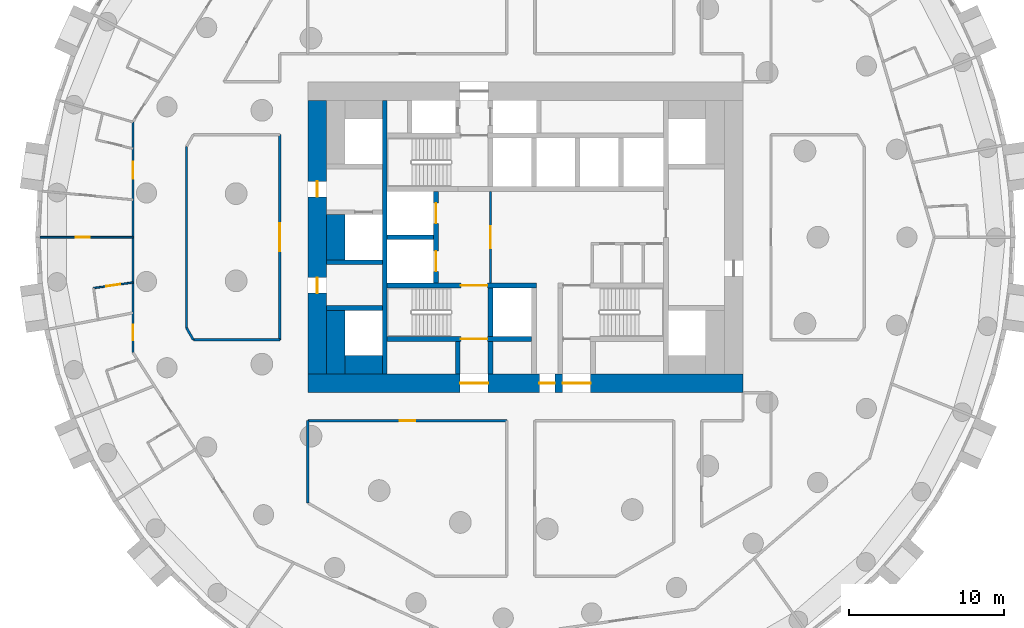
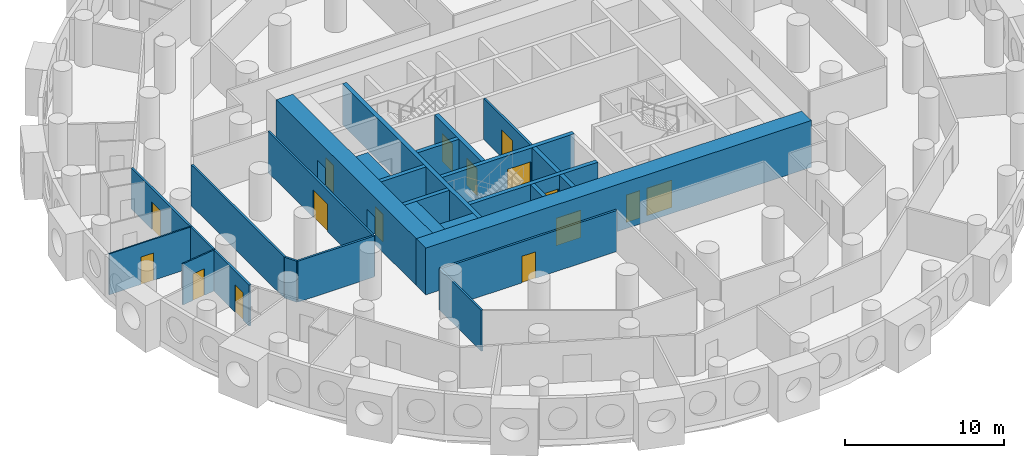
# One storey, part 4 of 12: 25 walls, 16 doors, 16 openings.
"""IFC4 building model written with IfcOpenShell, lengths in metres."""

from ifc_helpers import new_model, si_unit, direction, frame, frame_2d, origin, place, context, subcontext, project, spatial, rectangle, extrude, material, layer, layer_set, type_object, element, fill, save


model = new_model("IFC4")

# Units and contexts
model_context = context("Model", 3, precision=1e-05, world=origin(), true_north=direction((0.0, 1.0)))
body_context = subcontext(model_context, "Body", "Model", "MODEL_VIEW")
ifc_project = project(units=[si_unit("LENGTHUNIT", "METRE"), si_unit("AREAUNIT", "SQUARE_METRE"), si_unit("VOLUMEUNIT", "CUBIC_METRE"), si_unit("PLANEANGLEUNIT", "RADIAN"), si_unit("MASSUNIT", "GRAM", prefix="KILO")], contexts=[model_context])

# Site, building, storey
site_placement = place(None, origin())
site = spatial("IfcSite", under=ifc_project, at=site_placement, CompositionType="ELEMENT")
building_placement = place(site_placement, origin())
building = spatial("IfcBuilding", under=site, at=building_placement, Name="Tracery Tower", CompositionType="ELEMENT")
storey_placement = place(building_placement, frame((0.0, 0.0, 111.0)))
storey = spatial("IfcBuildingStorey", under=building, at=storey_placement, Name="L28", CompositionType="ELEMENT", Elevation=111.0)

# Wall, opening, door
ifc_material_1 = material(Name="Plasterboard on steel studs", Category="steel")
ifc_layer_1 = layer(ifc_material_1, 0.14990234375)
ifc_layer_set_1 = layer_set([ifc_layer_1], Name="Core lobby partition 150")
wall_type_1 = type_object("IfcWallType", Name="Core lobby partition 150", PredefinedType="SOLIDWALL", material=ifc_layer_set_1)
wall_1_placement = place(storey_placement, frame((-2.25, -2.949951171875, 0.0), z_axis=(0.0, 0.0, 1.0), x_axis=(0.0, 1.0, 0.0)))
wall_1 = element("IfcWall", 1, at=wall_1_placement, inside=storey, type_object=wall_type_1, Name="L28 FF lobby E", PredefinedType="SOLIDWALL", context=body_context, shape_type="SweptSolid", body=[
    extrude(rectangle(XDim=5.89990234375, YDim=0.14990234375, at=frame_2d((2.949951171875, 0.0))), origin(), (0.0, 0.0, 1.0), 3.14990234375),
])
opening_1_placement = place(wall_1_placement, frame((2.25, 0.0, 0.0)))
opening_1 = element("IfcOpeningElement", 2, at=opening_1_placement, cuts=wall_1, Name="Opening KD8", PredefinedType="OPENING", context=body_context, shape_type="SweptSolid", body=[
    extrude(rectangle(XDim=1.39990234375, YDim=2.10009765625, at=frame_2d((0.699951171875, 1.050048828125))), frame((0.0, 0.074951171875, 0.0), z_axis=(0.0, -1.0, 0.0), x_axis=(1.0, 0.0, 0.0)), (0.0, 0.0, 1.0), 0.14990234375),
])
ifc_material_2 = material(Name="Steel fire door", Category="steel")
door_type_1 = type_object("IfcDoorType", Name="Core lobby door 1400 double", OperationType="NOTDEFINED", PredefinedType="DOOR", material=ifc_material_2)
door_1_placement = place(opening_1_placement, origin())
door_1 = element("IfcDoor", 3, at=door_1_placement, inside=storey, type_object=door_type_1, Name="Fire-fighting lobby door", OperationType="DOUBLE_DOOR_SINGLE_SWING", OverallHeight=2.10009765625, OverallWidth=1.39990234375, PredefinedType="DOOR", context=body_context, shape_type="SweptSolid", body=[
    extrude(rectangle(XDim=1.39990234375, YDim=2.10009765625, at=frame_2d((0.699951171875, 1.050048828125))), frame((0.0, 0.02490234375, 0.0), z_axis=(0.0, -1.0, 0.0), x_axis=(1.0, 0.0, 0.0)), (0.0, 0.0, 1.0), 0.050048828125),
])
fill(opening_1, door_1)

# Walls
ifc_material_3 = material(Name="Concrete C60/75", Category="concrete")
ifc_layer_2 = layer(ifc_material_3, 1.199951171875)
ifc_layer_set_2 = layer_set([ifc_layer_2], Name="Core strip wall 1200 C60")
wall_type_2 = type_object("IfcWallType", Name="Core strip wall 1200 C60", PredefinedType="SOLIDWALL", material=ifc_layer_set_2)
wall_2_placement = place(storey_placement, frame((-12.199951171875, -8.800048828125, 0.0), z_axis=(0.0, 0.0, 1.0), x_axis=(0.0, 1.0, 0.0)))
element("IfcWall", 4, at=wall_2_placement, inside=storey, type_object=wall_type_2, Name="L28 wing strip -1 -9.4", PredefinedType="SOLIDWALL", context=body_context, shape_type="SweptSolid", body=[
    extrude(rectangle(XDim=4.10009765625, YDim=1.199951171875, at=frame_2d((2.050048828125, 0.0))), origin(), (0.0, 0.0, 1.0), 3.14990234375),
])
wall_3_placement = place(storey_placement, frame((-12.199951171875, -1.449951171875, 0.0), z_axis=(0.0, 0.0, 1.0), x_axis=(0.0, 1.0, 0.0)))
element("IfcWall", 5, at=wall_3_placement, inside=storey, type_object=wall_type_2, Name="L28 wing strip -1 -1.6", PredefinedType="SOLIDWALL", context=body_context, shape_type="SweptSolid", body=[
    extrude(rectangle(XDim=2.89990234375, YDim=1.199951171875, at=frame_2d((1.449951171875, 0.0))), origin(), (0.0, 0.0, 1.0), 3.14990234375),
])
wall_4_placement = place(storey_placement, frame((-11.60009765625, -8.199951171875, 0.0), z_axis=(0.0, 0.0, 1.0), x_axis=(1.0, 0.0, 0.0)))
element("IfcWall", 6, at=wall_4_placement, inside=storey, type_object=wall_type_2, Name="L28 wing corner -1 -8.2", PredefinedType="SOLIDWALL", context=body_context, shape_type="SweptSolid", body=[
    extrude(rectangle(XDim=2.400146484375, YDim=1.199951171875, at=frame_2d((1.2001953125, 0.0))), origin(), (0.0, 0.0, 1.0), 3.14990234375),
])

# Wall, openings, doors
ifc_material_4 = material(Name="Concrete C60/75", Category="concrete")
ifc_layer_3 = layer(ifc_material_4, 1.199951171875)
ifc_layer_set_3 = layer_set([ifc_layer_3], Name="Core wall 1200 C60")
wall_type_3 = type_object("IfcWallType", Name="Core wall 1200 C60", PredefinedType="SOLIDWALL", material=ifc_layer_set_3)
wall_5_placement = place(storey_placement, frame((-14.0, -9.39990234375, 0.0), z_axis=(0.0, 0.0, 1.0), x_axis=(1.0, 0.0, 0.0)))
wall_5 = element("IfcWall", 7, at=wall_5_placement, inside=storey, type_object=wall_type_3, Name="L28 outer S", PredefinedType="SOLIDWALL", context=body_context, shape_type="SweptSolid", body=[
    extrude(rectangle(XDim=28.0, YDim=1.199951171875, at=frame_2d((14.0, 0.0))), origin(), (0.0, 0.0, 1.0), 3.60009765625),
])
opening_2_placement = place(wall_5_placement, frame((14.89990234375, 0.0, 0.0)))
opening_2 = element("IfcOpeningElement", 8, at=opening_2_placement, cuts=wall_5, Name="Opening KD16", PredefinedType="OPENING", context=body_context, shape_type="SweptSolid", body=[
    extrude(rectangle(XDim=1.0, YDim=2.10009765625, at=frame_2d((0.5, 1.050048828125))), frame((0.0, 0.60009765625, 0.0), z_axis=(0.0, -1.0, 0.0), x_axis=(1.0, 0.0, 0.0)), (0.0, 0.0, 1.0), 1.199951171875),
])
opening_3_placement = place(wall_5_placement, frame((9.800048828125, 0.0, 0.0)))
opening_3 = element("IfcOpeningElement", 9, at=opening_3_placement, cuts=wall_5, Name="Opening KD13", PredefinedType="OPENING", context=body_context, shape_type="SweptSolid", body=[
    extrude(rectangle(XDim=1.800048828125, YDim=2.10009765625, at=frame_2d((0.89990234375, 1.050048828125))), frame((0.0, 0.60009765625, 0.0), z_axis=(0.0, -1.0, 0.0), x_axis=(1.0, 0.0, 0.0)), (0.0, 0.0, 1.0), 1.199951171875),
])
opening_4_placement = place(wall_5_placement, frame((16.39990234375, 0.0, 0.0)))
opening_4 = element("IfcOpeningElement", 10, at=opening_4_placement, cuts=wall_5, Name="Opening KD13", PredefinedType="OPENING", context=body_context, shape_type="SweptSolid", body=[
    extrude(rectangle(XDim=1.800048828125, YDim=2.10009765625, at=frame_2d((0.89990234375, 1.050048828125))), frame((0.0, 0.60009765625, 0.0), z_axis=(0.0, -1.0, 0.0), x_axis=(1.0, 0.0, 0.0)), (0.0, 0.0, 1.0), 1.199951171875),
])
ifc_material_5 = material(Name="Steel fire door", Category="steel")
door_type_2 = type_object("IfcDoorType", Name="Core exit door 1000", OperationType="NOTDEFINED", PredefinedType="DOOR", material=ifc_material_5)
door_2_placement = place(opening_2_placement, origin())
door_2 = element("IfcDoor", 11, at=door_2_placement, inside=storey, type_object=door_type_2, Name="Core exit door", OperationType="SINGLE_SWING_LEFT", OverallHeight=2.10009765625, OverallWidth=1.0, PredefinedType="DOOR", context=body_context, shape_type="SweptSolid", body=[
    extrude(rectangle(XDim=1.0, YDim=2.10009765625, at=frame_2d((0.5, 1.050048828125))), frame((0.0, 0.02490234375, 0.0), z_axis=(0.0, -1.0, 0.0), x_axis=(1.0, 0.0, 0.0)), (0.0, 0.0, 1.0), 0.050048828125),
])
fill(opening_2, door_2)
ifc_material_6 = material(Name="Steel fire door", Category="steel")
door_type_3 = type_object("IfcDoorType", Name="Core exit door 1800 double", OperationType="NOTDEFINED", PredefinedType="DOOR", material=ifc_material_6)
door_3_placement = place(opening_3_placement, origin())
door_3 = element("IfcDoor", 12, at=door_3_placement, inside=storey, type_object=door_type_3, Name="Core exit door", OperationType="DOUBLE_DOOR_SINGLE_SWING", OverallHeight=2.10009765625, OverallWidth=1.800048828125, PredefinedType="DOOR", context=body_context, shape_type="SweptSolid", body=[
    extrude(rectangle(XDim=1.800048828125, YDim=2.10009765625, at=frame_2d((0.89990234375, 1.050048828125))), frame((0.0, 0.02490234375, 0.0), z_axis=(0.0, -1.0, 0.0), x_axis=(1.0, 0.0, 0.0)), (0.0, 0.0, 1.0), 0.050048828125),
])
fill(opening_3, door_3)
door_4_placement = place(opening_4_placement, origin())
door_4 = element("IfcDoor", 13, at=door_4_placement, inside=storey, type_object=door_type_3, Name="Core exit door", OperationType="DOUBLE_DOOR_SINGLE_SWING", OverallHeight=2.10009765625, OverallWidth=1.800048828125, PredefinedType="DOOR", context=body_context, shape_type="SweptSolid", body=[
    extrude(rectangle(XDim=1.800048828125, YDim=2.10009765625, at=frame_2d((0.89990234375, 1.050048828125))), frame((0.0, 0.02490234375, 0.0), z_axis=(0.0, -1.0, 0.0), x_axis=(1.0, 0.0, 0.0)), (0.0, 0.0, 1.0), 0.050048828125),
])
fill(opening_4, door_4)

wall_6_placement = place(storey_placement, frame((-13.39990234375, -8.800048828125, 0.0), z_axis=(0.0, 0.0, 1.0), x_axis=(0.0, 1.0, 0.0)))
wall_6 = element("IfcWall", 14, at=wall_6_placement, inside=storey, type_object=wall_type_3, Name="L28 outer W", PredefinedType="SOLIDWALL", context=body_context, shape_type="SweptSolid", body=[
    extrude(rectangle(XDim=17.60009765625, YDim=1.199951171875, at=frame_2d((8.800048828125, 0.0))), origin(), (0.0, 0.0, 1.0), 3.60009765625),
])
opening_5_placement = place(wall_6_placement, frame((5.199951171875, 0.0, 0.0)))
opening_5 = element("IfcOpeningElement", 15, at=opening_5_placement, cuts=wall_6, Name="Opening KD18", PredefinedType="OPENING", context=body_context, shape_type="SweptSolid", body=[
    extrude(rectangle(XDim=1.0, YDim=2.10009765625, at=frame_2d((0.5, 1.050048828125))), frame((0.0, 0.60009765625, 0.0), z_axis=(0.0, -1.0, 0.0), x_axis=(1.0, 0.0, 0.0)), (0.0, 0.0, 1.0), 1.199951171875),
])
opening_6_placement = place(wall_6_placement, frame((11.39990234375, 0.0, 0.0)))
opening_6 = element("IfcOpeningElement", 16, at=opening_6_placement, cuts=wall_6, Name="Opening KD18", PredefinedType="OPENING", context=body_context, shape_type="SweptSolid", body=[
    extrude(rectangle(XDim=1.0, YDim=2.10009765625, at=frame_2d((0.5, 1.050048828125))), frame((0.0, 0.60009765625, 0.0), z_axis=(0.0, -1.0, 0.0), x_axis=(1.0, 0.0, 0.0)), (0.0, 0.0, 1.0), 1.199951171875),
])
door_5_placement = place(opening_5_placement, origin())
door_5 = element("IfcDoor", 17, at=door_5_placement, inside=storey, type_object=door_type_2, Name="Core exit door", OperationType="DOUBLE_DOOR_SINGLE_SWING", OverallHeight=2.10009765625, OverallWidth=1.0, PredefinedType="DOOR", context=body_context, shape_type="SweptSolid", body=[
    extrude(rectangle(XDim=1.0, YDim=2.10009765625, at=frame_2d((0.5, 1.050048828125))), frame((0.0, 0.02490234375, 0.0), z_axis=(0.0, -1.0, 0.0), x_axis=(1.0, 0.0, 0.0)), (0.0, 0.0, 1.0), 0.050048828125),
])
fill(opening_5, door_5)
door_6_placement = place(opening_6_placement, origin())
door_6 = element("IfcDoor", 18, at=door_6_placement, inside=storey, type_object=door_type_2, Name="Core exit door", OperationType="DOUBLE_DOOR_SINGLE_SWING", OverallHeight=2.10009765625, OverallWidth=1.0, PredefinedType="DOOR", context=body_context, shape_type="SweptSolid", body=[
    extrude(rectangle(XDim=1.0, YDim=2.10009765625, at=frame_2d((0.5, 1.050048828125))), frame((0.0, 0.02490234375, 0.0), z_axis=(0.0, -1.0, 0.0), x_axis=(1.0, 0.0, 0.0)), (0.0, 0.0, 1.0), 0.050048828125),
])
fill(opening_6, door_6)

# Wall, opening, door
ifc_material_7 = material(Name="Plasterboard on steel studs", Category="steel")
ifc_layer_4 = layer(ifc_material_7, 0.10009765625)
ifc_layer_set_4 = layer_set([ifc_layer_4], Name="Partition 100 stud")
wall_type_4 = type_object("IfcWallType", Name="Partition 100 stud", PredefinedType="PARTITIONING", material=ifc_layer_set_4)
wall_7_placement = place(storey_placement, frame((-31.22412109375, 0.0, 0.0), z_axis=(0.0, 0.0, 1.0), x_axis=(1.0, 0.0, 0.0)))
wall_7 = element("IfcWall", 19, at=wall_7_placement, inside=storey, type_object=wall_type_4, Name="Stud partition RA8-099", PredefinedType="PARTITIONING", context=body_context, shape_type="SweptSolid", body=[
    extrude(rectangle(XDim=5.97119140625, YDim=0.10009765625, at=frame_2d((2.985595703125, 0.0))), origin(), (0.0, 0.0, 1.0), 3.14990234375),
])
opening_7_placement = place(wall_7_placement, frame((2.302001953125, 0.0, 0.0)))
opening_7 = element("IfcOpeningElement", 20, at=opening_7_placement, cuts=wall_7, Name="Opening RA8-38", PredefinedType="OPENING", context=body_context, shape_type="SweptSolid", body=[
    extrude(rectangle(XDim=0.89990234375, YDim=2.10009765625, at=frame_2d((0.449951171875, 1.050048828125))), frame((0.0, 0.050048828125, 0.0), z_axis=(0.0, -1.0, 0.0), x_axis=(1.0, 0.0, 0.0)), (0.0, 0.0, 1.0), 0.10009765625),
])
ifc_material_8 = material(Name="Timber door leaf", Category="wood")
door_type_4 = type_object("IfcDoorType", Name="Door bedroom 900", OperationType="NOTDEFINED", PredefinedType="DOOR", material=ifc_material_8)
door_7_placement = place(opening_7_placement, origin())
door_7 = element("IfcDoor", 21, at=door_7_placement, inside=storey, type_object=door_type_4, Name="Bedroom door RA8-38", OperationType="SINGLE_SWING_RIGHT", OverallHeight=2.10009765625, OverallWidth=0.89990234375, PredefinedType="DOOR", context=body_context, shape_type="SweptSolid", body=[
    extrude(rectangle(XDim=0.89990234375, YDim=2.10009765625, at=frame_2d((0.449951171875, 1.050048828125))), frame((0.0, 0.02490234375, 0.0), z_axis=(0.0, -1.0, 0.0), x_axis=(1.0, 0.0, 0.0)), (0.0, 0.0, 1.0), 0.050048828125),
])
fill(opening_7, door_7)

ifc_material_9 = material(Name="Plasterboard on steel studs", Category="steel")
ifc_layer_5 = layer(ifc_material_9, 0.10009765625)
ifc_layer_set_5 = layer_set([ifc_layer_5], Name="Partition 100 wet wall")
wall_type_5 = type_object("IfcWallType", Name="Partition 100 wet wall", PredefinedType="PARTITIONING", material=ifc_layer_set_5)
wall_8_placement = place(storey_placement, frame((-27.784912109375, -3.27294921875, 0.0), z_axis=(0.0, 0.0, 1.0), x_axis=(0.989823118164, 0.142303178978, 0.0)))
wall_8 = element("IfcWall", 22, at=wall_8_placement, inside=storey, type_object=wall_type_5, Name="Wet wall RA8-103", PredefinedType="PARTITIONING", context=body_context, shape_type="SweptSolid", body=[
    extrude(rectangle(XDim=2.55810546875, YDim=0.10009765625, at=frame_2d((1.279052734375, 0.0))), origin(), (0.0, 0.0, 1.0), 3.14990234375),
])
opening_8_placement = place(wall_8_placement, frame((0.8291015625, 0.0, 0.0)))
opening_8 = element("IfcOpeningElement", 23, at=opening_8_placement, cuts=wall_8, Name="Opening RA8-39", PredefinedType="OPENING", context=body_context, shape_type="SweptSolid", body=[
    extrude(rectangle(XDim=0.89990234375, YDim=2.0400390625, at=frame_2d((0.449951171875, 1.02001953125))), frame((0.0, 0.050048828125, 0.0), z_axis=(0.0, -1.0, 0.0), x_axis=(1.0, 0.0, 0.0)), (0.0, 0.0, 1.0), 0.10009765625),
])
ifc_material_10 = material(Name="Timber door leaf", Category="wood")
door_type_5 = type_object("IfcDoorType", Name="Door en-suite 900", OperationType="NOTDEFINED", PredefinedType="DOOR", material=ifc_material_10)
door_8_placement = place(opening_8_placement, origin())
door_8 = element("IfcDoor", 24, at=door_8_placement, inside=storey, type_object=door_type_5, Name="En-suite door RA8-39", OperationType="SINGLE_SWING_LEFT", OverallHeight=2.0400390625, OverallWidth=0.89990234375, PredefinedType="DOOR", context=body_context, shape_type="SweptSolid", body=[
    extrude(rectangle(XDim=0.89990234375, YDim=2.0400390625, at=frame_2d((0.449951171875, 1.02001953125))), frame((0.0, 0.02490234375, 0.0), z_axis=(0.0, -1.0, 0.0), x_axis=(1.0, 0.0, 0.0)), (0.0, 0.0, 1.0), 0.050048828125),
])
fill(opening_8, door_8)

ifc_material_11 = material(Name="Plasterboard on steel studs", Category="steel")
ifc_layer_6 = layer(ifc_material_11, 0.14990234375)
ifc_layer_set_6 = layer_set([ifc_layer_6], Name="Partition 150 corridor wall")
wall_type_6 = type_object("IfcWallType", Name="Partition 150 corridor wall", PredefinedType="PARTITIONING", material=ifc_layer_set_6)
wall_9_placement = place(storey_placement, frame((-14.00390625, -11.800048828125, 0.0), z_axis=(0.0, 0.0, 1.0), x_axis=(1.0, 0.0, 0.0)))
wall_9 = element("IfcWall", 25, at=wall_9_placement, inside=storey, type_object=wall_type_6, Name="Corridor wall RA8-006", PredefinedType="PARTITIONING", context=body_context, shape_type="SweptSolid", body=[
    extrude(rectangle(XDim=12.81591796875, YDim=0.14990234375, at=frame_2d((6.407958984375, 0.0))), origin(), (0.0, 0.0, 1.0), 3.14990234375),
])
opening_9_placement = place(wall_9_placement, frame((5.907958984375, 0.0, 0.0)))
opening_9 = element("IfcOpeningElement", 26, at=opening_9_placement, cuts=wall_9, Name="Opening RA8-04", PredefinedType="OPENING", context=body_context, shape_type="SweptSolid", body=[
    extrude(rectangle(XDim=1.0, YDim=2.0400390625, at=frame_2d((0.5, 1.02001953125))), frame((0.0, 0.074951171875, 0.0), z_axis=(0.0, -1.0, 0.0), x_axis=(1.0, 0.0, 0.0)), (0.0, 0.0, 1.0), 0.14990234375),
])
ifc_material_12 = material(Name="Timber door leaf", Category="wood")
door_type_6 = type_object("IfcDoorType", Name="Door communal room 1000", OperationType="NOTDEFINED", PredefinedType="DOOR", material=ifc_material_12)
door_9_placement = place(opening_9_placement, origin())
door_9 = element("IfcDoor", 27, at=door_9_placement, inside=storey, type_object=door_type_6, Name="Communal room door RA8-04", OperationType="SINGLE_SWING_RIGHT", OverallHeight=2.0400390625, OverallWidth=1.0, PredefinedType="DOOR", context=body_context, shape_type="SweptSolid", body=[
    extrude(rectangle(XDim=1.0, YDim=2.0400390625, at=frame_2d((0.5, 1.02001953125))), frame((0.0, 0.02490234375, 0.0), z_axis=(0.0, -1.0, 0.0), x_axis=(1.0, 0.0, 0.0)), (0.0, 0.0, 1.0), 0.050048828125),
])
fill(opening_9, door_9)

wall_10_placement = place(storey_placement, frame((-15.800048828125, -6.60400390625, 0.0), z_axis=(0.0, 0.0, 1.0), x_axis=(0.0, 1.0, 0.0)))
wall_10 = element("IfcWall", 28, at=wall_10_placement, inside=storey, type_object=wall_type_6, Name="Corridor wall RA8-013", PredefinedType="PARTITIONING", context=body_context, shape_type="SweptSolid", body=[
    extrude(rectangle(XDim=13.2080078125, YDim=0.14990234375, at=frame_2d((6.60400390625, 0.0))), origin(), (0.0, 0.0, 1.0), 3.14990234375),
])
opening_10_placement = place(wall_10_placement, frame((5.7041015625, 0.0, 0.0)))
opening_10 = element("IfcOpeningElement", 29, at=opening_10_placement, cuts=wall_10, Name="Opening RA8-08", PredefinedType="OPENING", context=body_context, shape_type="SweptSolid", body=[
    extrude(rectangle(XDim=1.800048828125, YDim=2.10009765625, at=frame_2d((0.89990234375, 1.050048828125))), frame((0.0, 0.074951171875, 0.0), z_axis=(0.0, -1.0, 0.0), x_axis=(1.0, 0.0, 0.0)), (0.0, 0.0, 1.0), 0.14990234375),
])
ifc_material_13 = material(Name="Timber door leaf", Category="wood")
door_type_7 = type_object("IfcDoorType", Name="Door double lounge 1800", OperationType="NOTDEFINED", PredefinedType="DOOR", material=ifc_material_13)
door_10_placement = place(opening_10_placement, origin())
door_10 = element("IfcDoor", 30, at=door_10_placement, inside=storey, type_object=door_type_7, Name="Double lounge door RA8-08", OperationType="DOUBLE_DOOR_SINGLE_SWING", OverallHeight=2.10009765625, OverallWidth=1.800048828125, PredefinedType="DOOR", context=body_context, shape_type="SweptSolid", body=[
    extrude(rectangle(XDim=1.800048828125, YDim=2.10009765625, at=frame_2d((0.89990234375, 1.050048828125))), frame((0.0, 0.02490234375, 0.0), z_axis=(0.0, -1.0, 0.0), x_axis=(1.0, 0.0, 0.0)), (0.0, 0.0, 1.0), 0.050048828125),
])
fill(opening_10, door_10)

# Walls
wall_11_placement = place(storey_placement, frame((-14.0, -17.092041015625, 0.0), z_axis=(0.0, 0.0, 1.0), x_axis=(0.0, 1.0, 0.0)))
element("IfcWall", 31, at=wall_11_placement, inside=storey, type_object=wall_type_6, Name="Corridor wall RA8-037", PredefinedType="PARTITIONING", context=body_context, shape_type="SweptSolid", body=[
    extrude(rectangle(XDim=5.2919921875, YDim=0.14990234375, at=frame_2d((2.64599609375, 0.0))), origin(), (0.0, 0.0, 1.0), 3.14990234375),
])
wall_12_placement = place(storey_placement, frame((-21.802001953125, -5.842041015625, 0.0), z_axis=(0.0, 0.0, 1.0), x_axis=(0.0, 1.0, 0.0)))
element("IfcWall", 32, at=wall_12_placement, inside=storey, type_object=wall_type_6, Name="Corridor wall RA8-040", PredefinedType="PARTITIONING", context=body_context, shape_type="SweptSolid", body=[
    extrude(rectangle(XDim=11.68408203125, YDim=0.14990234375, at=frame_2d((5.842041015625, 0.0))), origin(), (0.0, 0.0, 1.0), 3.14990234375),
])
wall_13_placement = place(storey_placement, frame((-21.802001953125, -5.842041015625, 0.0), z_axis=(0.0, 0.0, 1.0), x_axis=(0.500277597875, -0.865865073245, 0.0)))
element("IfcWall", 33, at=wall_13_placement, inside=storey, type_object=wall_type_6, Name="Corridor wall RA8-041", PredefinedType="PARTITIONING", context=body_context, shape_type="SweptSolid", body=[
    extrude(rectangle(XDim=0.87548828125, YDim=0.14990234375, at=frame_2d((0.437744140625, 0.0))), origin(), (0.0, 0.0, 1.0), 3.14990234375),
])
wall_14_placement = place(storey_placement, frame((-21.364013671875, -6.60009765625, 0.0), z_axis=(0.0, 0.0, 1.0), x_axis=(1.0, 0.0, 0.0)))
element("IfcWall", 34, at=wall_14_placement, inside=storey, type_object=wall_type_6, Name="Corridor wall RA8-042", PredefinedType="PARTITIONING", context=body_context, shape_type="SweptSolid", body=[
    extrude(rectangle(XDim=5.56396484375, YDim=0.14990234375, at=frame_2d((2.781982421875, 0.0))), origin(), (0.0, 0.0, 1.0), 3.14990234375),
])

# Wall, openings, doors
wall_15_placement = place(storey_placement, frame((-25.2529296875, -7.4150390625, 0.0), z_axis=(0.0, 0.0, 1.0), x_axis=(0.0, 1.0, 0.0)))
wall_15 = element("IfcWall", 35, at=wall_15_placement, inside=storey, type_object=wall_type_6, Name="Corridor wall RA8-045", PredefinedType="PARTITIONING", context=body_context, shape_type="SweptSolid", body=[
    extrude(rectangle(XDim=14.830078125, YDim=0.14990234375, at=frame_2d((7.4150390625, 0.0))), origin(), (0.0, 0.0, 1.0), 3.14990234375),
])
opening_11_placement = place(wall_15_placement, frame((11.169921875, 0.0, 0.0)))
opening_11 = element("IfcOpeningElement", 36, at=opening_11_placement, cuts=wall_15, Name="Opening RA8-33", PredefinedType="OPENING", context=body_context, shape_type="SweptSolid", body=[
    extrude(rectangle(XDim=1.10009765625, YDim=2.10009765625, at=frame_2d((0.550048828125, 1.050048828125))), frame((0.0, 0.074951171875, 0.0), z_axis=(0.0, -1.0, 0.0), x_axis=(1.0, 0.0, 0.0)), (0.0, 0.0, 1.0), 0.14990234375),
])
opening_12_placement = place(wall_15_placement, frame((0.77587890625, 0.0, 0.0)))
opening_12 = element("IfcOpeningElement", 37, at=opening_12_placement, cuts=wall_15, Name="Opening RA8-41", PredefinedType="OPENING", context=body_context, shape_type="SweptSolid", body=[
    extrude(rectangle(XDim=1.0, YDim=2.10009765625, at=frame_2d((0.5, 1.050048828125))), frame((0.0, 0.074951171875, 0.0), z_axis=(0.0, -1.0, 0.0), x_axis=(1.0, 0.0, 0.0)), (0.0, 0.0, 1.0), 0.14990234375),
])
ifc_material_14 = material(Name="Timber door leaf", Category="wood")
door_type_8 = type_object("IfcDoorType", Name="Door cluster entrance 1100", OperationType="NOTDEFINED", PredefinedType="DOOR", material=ifc_material_14)
door_11_placement = place(opening_11_placement, origin())
door_11 = element("IfcDoor", 38, at=door_11_placement, inside=storey, type_object=door_type_8, Name="Cluster entrance door RA8-33", OperationType="SINGLE_SWING_RIGHT", OverallHeight=2.10009765625, OverallWidth=1.10009765625, PredefinedType="DOOR", context=body_context, shape_type="SweptSolid", body=[
    extrude(rectangle(XDim=1.10009765625, YDim=2.10009765625, at=frame_2d((0.550048828125, 1.050048828125))), frame((0.0, 0.02490234375, 0.0), z_axis=(0.0, -1.0, 0.0), x_axis=(1.0, 0.0, 0.0)), (0.0, 0.0, 1.0), 0.050048828125),
])
fill(opening_11, door_11)
ifc_material_15 = material(Name="Timber door leaf", Category="wood")
door_type_9 = type_object("IfcDoorType", Name="Door unit entrance 1000", OperationType="NOTDEFINED", PredefinedType="DOOR", material=ifc_material_15)
door_12_placement = place(opening_12_placement, origin())
door_12 = element("IfcDoor", 39, at=door_12_placement, inside=storey, type_object=door_type_9, Name="Unit entrance door RA8-41", OperationType="SINGLE_SWING_RIGHT", OverallHeight=2.10009765625, OverallWidth=1.0, PredefinedType="DOOR", context=body_context, shape_type="SweptSolid", body=[
    extrude(rectangle(XDim=1.0, YDim=2.10009765625, at=frame_2d((0.5, 1.050048828125))), frame((0.0, 0.02490234375, 0.0), z_axis=(0.0, -1.0, 0.0), x_axis=(1.0, 0.0, 0.0)), (0.0, 0.0, 1.0), 0.050048828125),
])
fill(opening_12, door_12)

# Wall
ifc_material_16 = material(Name="Concrete C60/75", Category="concrete")
ifc_layer_7 = layer(ifc_material_16, 0.300048828125)
ifc_layer_set_7 = layer_set([ifc_layer_7], Name="Shaft wall 300 C60")
wall_type_7 = type_object("IfcWallType", Name="Shaft wall 300 C60", PredefinedType="SOLIDWALL", material=ifc_layer_set_7)
wall_16_placement = place(storey_placement, frame((-8.89990234375, 0.0, 0.0), z_axis=(0.0, 0.0, 1.0), x_axis=(1.0, 0.0, 0.0)))
element("IfcWall", 40, at=wall_16_placement, inside=storey, type_object=wall_type_7, Name="L28 FF split", PredefinedType="SOLIDWALL", context=body_context, shape_type="SweptSolid", body=[
    extrude(rectangle(XDim=3.0, YDim=0.300048828125, at=frame_2d((1.5, 0.0))), origin(), (0.0, 0.0, 1.0), 3.14990234375),
])

# Wall, openings, doors
wall_17_placement = place(storey_placement, frame((-5.75, -2.949951171875, 0.0), z_axis=(0.0, 0.0, 1.0), x_axis=(0.0, 1.0, 0.0)))
wall_17 = element("IfcWall", 41, at=wall_17_placement, inside=storey, type_object=wall_type_7, Name="L28 FF doors", PredefinedType="SOLIDWALL", context=body_context, shape_type="SweptSolid", body=[
    extrude(rectangle(XDim=5.89990234375, YDim=0.300048828125, at=frame_2d((2.949951171875, 0.0))), origin(), (0.0, 0.0, 1.0), 3.14990234375),
])
opening_13_placement = place(wall_17_placement, frame((0.75, 0.0, 0.0)))
opening_13 = element("IfcOpeningElement", 42, at=opening_13_placement, cuts=wall_17, Name="Opening KD54", PredefinedType="OPENING", context=body_context, shape_type="SweptSolid", body=[
    extrude(rectangle(XDim=1.300048828125, YDim=2.10009765625, at=frame_2d((0.64990234375, 1.050048828125))), frame((0.0, 0.14990234375, 0.0), z_axis=(0.0, -1.0, 0.0), x_axis=(1.0, 0.0, 0.0)), (0.0, 0.0, 1.0), 0.300048828125),
])
opening_14_placement = place(wall_17_placement, frame((3.85009765625, 0.0, 0.0)))
opening_14 = element("IfcOpeningElement", 43, at=opening_14_placement, cuts=wall_17, Name="Opening KD55", PredefinedType="OPENING", context=body_context, shape_type="SweptSolid", body=[
    extrude(rectangle(XDim=1.300048828125, YDim=2.10009765625, at=frame_2d((0.64990234375, 1.050048828125))), frame((0.0, 0.14990234375, 0.0), z_axis=(0.0, -1.0, 0.0), x_axis=(1.0, 0.0, 0.0)), (0.0, 0.0, 1.0), 0.300048828125),
])
ifc_material_17 = material(Name="Steel fire door", Category="steel")
door_type_10 = type_object("IfcDoorType", Name="Landing door FF 1300", OperationType="NOTDEFINED", PredefinedType="DOOR", material=ifc_material_17)
door_13_placement = place(opening_13_placement, origin())
door_13 = element("IfcDoor", 44, at=door_13_placement, inside=storey, type_object=door_type_10, Name="Landing door FF1", OperationType="SLIDING_TO_LEFT", OverallHeight=2.10009765625, OverallWidth=1.300048828125, PredefinedType="DOOR", context=body_context, shape_type="SweptSolid", body=[
    extrude(rectangle(XDim=1.300048828125, YDim=2.10009765625, at=frame_2d((0.64990234375, 1.050048828125))), frame((0.0, 0.02490234375, 0.0), z_axis=(0.0, -1.0, 0.0), x_axis=(1.0, 0.0, 0.0)), (0.0, 0.0, 1.0), 0.050048828125),
])
fill(opening_13, door_13)
door_14_placement = place(opening_14_placement, origin())
door_14 = element("IfcDoor", 45, at=door_14_placement, inside=storey, type_object=door_type_10, Name="Landing door FF2", OperationType="SLIDING_TO_RIGHT", OverallHeight=2.10009765625, OverallWidth=1.300048828125, PredefinedType="DOOR", context=body_context, shape_type="SweptSolid", body=[
    extrude(rectangle(XDim=1.300048828125, YDim=2.10009765625, at=frame_2d((0.64990234375, 1.050048828125))), frame((0.0, 0.02490234375, 0.0), z_axis=(0.0, -1.0, 0.0), x_axis=(1.0, 0.0, 0.0)), (0.0, 0.0, 1.0), 0.050048828125),
])
fill(opening_14, door_14)

# Walls
wall_18_placement = place(storey_placement, frame((-4.35009765625, -8.800048828125, 0.0), z_axis=(0.0, 0.0, 1.0), x_axis=(0.0, 1.0, 0.0)))
element("IfcWall", 46, at=wall_18_placement, inside=storey, type_object=wall_type_7, Name="L28 band S -4.35", PredefinedType="SOLIDWALL", context=body_context, shape_type="SweptSolid", body=[
    extrude(rectangle(XDim=2.10009765625, YDim=0.300048828125, at=frame_2d((1.050048828125, 0.0))), origin(), (0.0, 0.0, 1.0), 3.14990234375),
])
for number, where, z_axis, x_axis, name in (
    (47, (-12.800048828125, -4.550048828125, 0.0), (0.0, 0.0, 1.0), (1.0, 0.0, 0.0), "L28 wing shaft wall -1 -4.55"),
    (48, (-12.800048828125, -1.60009765625, 0.0), (0.0, 0.0, 1.0), (1.0, 0.0, 0.0), "L28 wing shaft wall -1 -1.60"),
):
    element("IfcWall", number, at=place(storey_placement, frame(where, z_axis=z_axis, x_axis=x_axis)), inside=storey, type_object=wall_type_7, Name=name, PredefinedType="SOLIDWALL", context=body_context, shape_type="SweptSolid", body=[
        extrude(rectangle(XDim=3.60009765625, YDim=0.300048828125, at=frame_2d((1.800048828125, 0.0))), origin(), (0.0, 0.0, 1.0), 3.14990234375),
    ])

# Wall, opening, door
ifc_material_18 = material(Name="Concrete C60/75", Category="concrete")
ifc_layer_8 = layer(ifc_material_18, 0.300048828125)
ifc_layer_set_8 = layer_set([ifc_layer_8], Name="Stair wall 300 C60")
wall_type_8 = type_object("IfcWallType", Name="Stair wall 300 C60", PredefinedType="SOLIDWALL", material=ifc_layer_set_8)
wall_19_placement = place(storey_placement, frame((-8.89990234375, -3.10009765625, 0.0), z_axis=(0.0, 0.0, 1.0), x_axis=(1.0, 0.0, 0.0)))
wall_19 = element("IfcWall", 49, at=wall_19_placement, inside=storey, type_object=wall_type_8, Name="L28 row S", PredefinedType="SOLIDWALL", context=body_context, shape_type="SweptSolid", body=[
    extrude(rectangle(XDim=9.599853515625, YDim=0.300048828125, at=frame_2d((4.7998046875, 0.0))), origin(), (0.0, 0.0, 1.0), 3.14990234375),
])
opening_15_placement = place(wall_19_placement, frame((4.75, 0.0, 0.0)))
opening_15 = element("IfcOpeningElement", 50, at=opening_15_placement, cuts=wall_19, Name="Opening KD3", PredefinedType="OPENING", context=body_context, shape_type="SweptSolid", body=[
    extrude(rectangle(XDim=1.699951171875, YDim=2.10009765625, at=frame_2d((0.85009765625, 1.050048828125))), frame((0.0, 0.14990234375, 0.0), z_axis=(0.0, -1.0, 0.0), x_axis=(1.0, 0.0, 0.0)), (0.0, 0.0, 1.0), 0.300048828125),
])
ifc_material_19 = material(Name="Steel fire door", Category="steel")
door_type_11 = type_object("IfcDoorType", Name="Core stair door 1700 double", OperationType="NOTDEFINED", PredefinedType="DOOR", material=ifc_material_19)
door_15_placement = place(opening_15_placement, origin())
door_15 = element("IfcDoor", 51, at=door_15_placement, inside=storey, type_object=door_type_11, Name="Stair door ST1", OperationType="DOUBLE_DOOR_SINGLE_SWING", OverallHeight=2.10009765625, OverallWidth=1.699951171875, PredefinedType="DOOR", context=body_context, shape_type="SweptSolid", body=[
    extrude(rectangle(XDim=1.699951171875, YDim=2.10009765625, at=frame_2d((0.85009765625, 1.050048828125))), frame((0.0, 0.02490234375, 0.0), z_axis=(0.0, -1.0, 0.0), x_axis=(1.0, 0.0, 0.0)), (0.0, 0.0, 1.0), 0.050048828125),
])
fill(opening_15, door_15)

# Walls
wall_20_placement = place(storey_placement, frame((-2.25, -6.39990234375, 0.0), z_axis=(0.0, 0.0, 1.0), x_axis=(0.0, 1.0, 0.0)))
element("IfcWall", 52, at=wall_20_placement, inside=storey, type_object=wall_type_8, Name="L28 ST1 E", PredefinedType="SOLIDWALL", context=body_context, shape_type="SweptSolid", body=[
    extrude(rectangle(XDim=3.14990234375, YDim=0.300048828125, at=frame_2d((1.574951171875, 0.0))), origin(), (0.0, 0.0, 1.0), 3.14990234375),
])
wall_21_placement = place(storey_placement, frame((-9.050048828125, -8.800048828125, 0.0), z_axis=(0.0, 0.0, 1.0), x_axis=(0.0, 1.0, 0.0)))
element("IfcWall", 53, at=wall_21_placement, inside=storey, type_object=wall_type_8, Name="L28 F wall -9", PredefinedType="SOLIDWALL", context=body_context, shape_type="SweptSolid", body=[
    extrude(rectangle(XDim=17.60009765625, YDim=0.300048828125, at=frame_2d((8.800048828125, 0.0))), origin(), (0.0, 0.0, 1.0), 3.14990234375),
])

# Wall, opening, door
wall_22_placement = place(storey_placement, frame((-8.89990234375, -6.550048828125, 0.0), z_axis=(0.0, 0.0, 1.0), x_axis=(1.0, 0.0, 0.0)))
wall_22 = element("IfcWall", 54, at=wall_22_placement, inside=storey, type_object=wall_type_8, Name="L28 F S W", PredefinedType="SOLIDWALL", context=body_context, shape_type="SweptSolid", body=[
    extrude(rectangle(XDim=9.2998046875, YDim=0.300048828125, at=frame_2d((4.64990234375, 0.0))), origin(), (0.0, 0.0, 1.0), 3.14990234375),
])
opening_16_placement = place(wall_22_placement, frame((4.75, 0.0, 0.0)))
opening_16 = element("IfcOpeningElement", 55, at=opening_16_placement, cuts=wall_22, Name="Opening KD3", PredefinedType="OPENING", context=body_context, shape_type="SweptSolid", body=[
    extrude(rectangle(XDim=1.699951171875, YDim=2.10009765625, at=frame_2d((0.85009765625, 1.050048828125))), frame((0.0, 0.14990234375, 0.0), z_axis=(0.0, -1.0, 0.0), x_axis=(1.0, 0.0, 0.0)), (0.0, 0.0, 1.0), 0.300048828125),
])
door_16_placement = place(opening_16_placement, origin())
door_16 = element("IfcDoor", 56, at=door_16_placement, inside=storey, type_object=door_type_11, Name="Stair door ST1 S", OperationType="DOUBLE_DOOR_SINGLE_SWING", OverallHeight=2.10009765625, OverallWidth=1.699951171875, PredefinedType="DOOR", context=body_context, shape_type="SweptSolid", body=[
    extrude(rectangle(XDim=1.699951171875, YDim=2.10009765625, at=frame_2d((0.85009765625, 1.050048828125))), frame((0.0, 0.02490234375, 0.0), z_axis=(0.0, -1.0, 0.0), x_axis=(1.0, 0.0, 0.0)), (0.0, 0.0, 1.0), 0.050048828125),
])
fill(opening_16, door_16)

# Wall
wall_23_placement = place(storey_placement, frame((-2.25, -8.800048828125, 0.0), z_axis=(0.0, 0.0, 1.0), x_axis=(0.0, 1.0, 0.0)))
element("IfcWall", 57, at=wall_23_placement, inside=storey, type_object=wall_type_8, Name="L28 ST1 E out", PredefinedType="SOLIDWALL", context=body_context, shape_type="SweptSolid", body=[
    extrude(rectangle(XDim=2.10009765625, YDim=0.300048828125, at=frame_2d((1.050048828125, 0.0))), origin(), (0.0, 0.0, 1.0), 3.14990234375),
])

save(model, "model.ifc")
